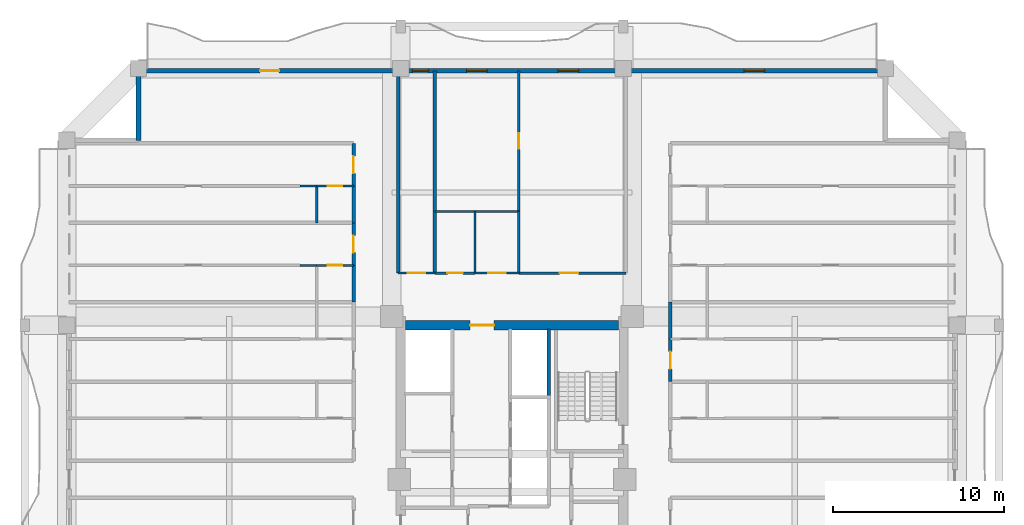
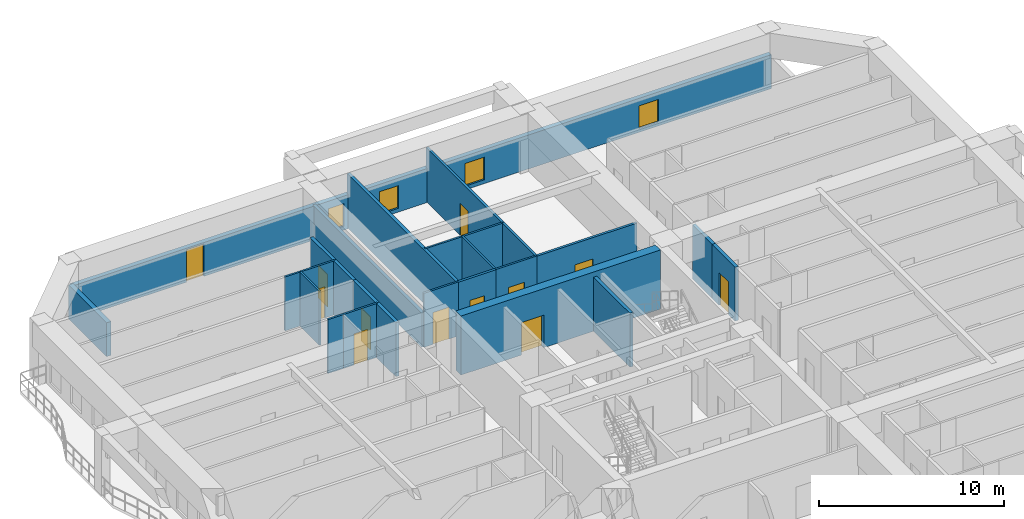
# One storey, part 7 of 13: 25 walls, 12 doors, 4 windows, 16 openings.
"""IFC4 building model written with IfcOpenShell, lengths in metres."""

from ifc_helpers import new_model, si_unit, direction, frame, frame_2d, origin, place, context, subcontext, project, spatial, rectangle, extrude, source, transform, mapped, material, layer, layer_set, type_object, element, fill, save


model = new_model("IFC4")

# Units and contexts
model_context = context("Model", 3, precision=1e-05, world=origin(), true_north=direction((0.0, 1.0)))
body_context = subcontext(model_context, "Body", "Model", "MODEL_VIEW")
ifc_project = project(units=[si_unit("LENGTHUNIT", "METRE"), si_unit("AREAUNIT", "SQUARE_METRE"), si_unit("VOLUMEUNIT", "CUBIC_METRE"), si_unit("PLANEANGLEUNIT", "RADIAN"), si_unit("MASSUNIT", "GRAM", prefix="KILO")], contexts=[model_context])

# Site, building, storey
site_placement = place(None, origin())
site = spatial("IfcSite", under=ifc_project, at=site_placement, CompositionType="ELEMENT")
building_placement = place(site_placement, origin())
building = spatial("IfcBuilding", under=site, at=building_placement, Name="Saelheon Loggia Tower", CompositionType="ELEMENT")
storey_placement = place(building_placement, frame((0.0, 0.0, 122.85009765625)))
storey = spatial("IfcBuildingStorey", under=building, at=storey_placement, Name="L39", CompositionType="ELEMENT", Elevation=122.85009765625)

# Wall, opening, door
ifc_material_1 = material(Name="Concrete C50/60", Category="concrete")
ifc_layer_1 = layer(ifc_material_1, 0.550048828125)
ifc_layer_set_1 = layer_set([ifc_layer_1], Name="Concrete C50/60")
wall_type_1 = type_object("IfcWallType", Name="Wall_CoreShear_550", PredefinedType="SHEAR", material=ifc_layer_set_1)
wall_1_placement = place(storey_placement, frame((31.77490234375, 36.0, 0.0), z_axis=(0.0, 0.0, 1.0), x_axis=(1.0, 0.0, 0.0)))
wall_1 = element("IfcWall", 1, at=wall_1_placement, inside=storey, type_object=wall_type_1, Name="L39 Core Shear Wall North", PredefinedType="SHEAR", context=body_context, shape_type="SweptSolid", body=[
    extrude(rectangle(XDim=12.4501953125, YDim=0.550048828125, at=frame_2d((6.22509765625, 0.0))), origin(), (0.0, 0.0, 1.0), 3.89990234375),
])
opening_1_placement = place(wall_1_placement, frame((5.1748046875, 0.0, 0.0), z_axis=(0.0, 0.0, 1.0), x_axis=(-1.0, 0.0, 0.0)))
opening_1 = element("IfcOpeningElement", 2, at=opening_1_placement, cuts=wall_1, Name="Opening D-FD2L", PredefinedType="OPENING", context=body_context, shape_type="SweptSolid", body=[
    extrude(rectangle(XDim=1.39990234375, YDim=2.14990234375, at=frame_2d((0.699951171875, 1.074951171875))), frame((0.0, 0.287109375, 0.0), z_axis=(0.0, -1.0, 0.0), x_axis=(1.0, 0.0, 0.0)), (0.0, 0.0, 1.0), 0.573974609375),
])
ifc_material_2 = material(Name="Galvanised Steel Glazed Lobby Fire Door", Category="steel")
door_type_1 = type_object("IfcDoorType", Name="Door_Fire_FD60_1400", OperationType="NOTDEFINED", PredefinedType="DOOR", material=ifc_material_2)
shared_shape_1 = source(origin(), body_context, "Body", "SweptSolid", [
    extrude(rectangle(XDim=1.39990234375, YDim=2.14990234375, at=frame_2d((0.699951171875, 1.074951171875))), frame((0.0, 0.02490234375, 0.0), z_axis=(0.0, -1.0, 0.0), x_axis=(1.0, 0.0, 0.0)), (0.0, 0.0, 1.0), 0.050048828125),
])
door_1_placement = place(opening_1_placement, origin())
door_1 = element("IfcDoor", 3, at=door_1_placement, inside=storey, type_object=door_type_1, Name="L39 Passenger Lift Lobby Main Door", OperationType="SINGLE_SWING_RIGHT", OverallHeight=2.14990234375, OverallWidth=1.39990234375, PredefinedType="DOOR", context=body_context, shape_type="MappedRepresentation", body=[
    mapped(shared_shape_1, transform((0.0, 0.0, 0.0), scale=1.0)),
])
fill(opening_1, door_1)

# Wall, openings, windows, door
ifc_material_3 = material(Name="Architectural Precast Concrete C40/50", Category="concrete")
ifc_layer_2 = layer(ifc_material_3, 0.280029296875)
ifc_layer_set_2 = layer_set([ifc_layer_2], Name="Architectural Precast Concrete C40/50")
wall_type_2 = type_object("IfcWallType", Name="Wall_Ext_Loggia_280", PredefinedType="SOLIDWALL", material=ifc_layer_set_2)
wall_2_placement = place(storey_placement, frame((16.199951171875, 50.860107421875, 0.0), z_axis=(0.0, 0.0, 1.0), x_axis=(1.0, 0.0, 0.0)))
wall_2 = element("IfcWall", 4, at=wall_2_placement, inside=storey, type_object=wall_type_2, Name="L39 North Loggia Inner Wall", PredefinedType="SOLIDWALL", context=body_context, shape_type="SweptSolid", body=[
    extrude(rectangle(XDim=43.60009765625, YDim=0.280029296875, at=frame_2d((21.800048828125, 0.0))), origin(), (0.0, 0.0, 1.0), 2.239990234375),
])
opening_2_placement = place(wall_2_placement, frame((7.10009765625, 0.0, 0.0)))
opening_2 = element("IfcOpeningElement", 5, at=opening_2_placement, cuts=wall_2, Name="Opening TD1", PredefinedType="OPENING", context=body_context, shape_type="SweptSolid", body=[
    extrude(rectangle(XDim=1.10009765625, YDim=2.14990234375, at=frame_2d((0.550048828125, 1.074951171875))), frame((0.0, 0.152099609375, 0.0), z_axis=(0.0, -1.0, 0.0), x_axis=(1.0, 0.0, 0.0)), (0.0, 0.0, 1.0), 0.303955078125),
])
opening_3_placement = place(wall_2_placement, frame((15.982421875, 0.0, 0.25)))
opening_3 = element("IfcOpeningElement", 6, at=opening_3_placement, cuts=wall_2, Name="Opening WN-04", PredefinedType="OPENING", context=body_context, shape_type="SweptSolid", body=[
    extrude(rectangle(XDim=0.949951171875, YDim=1.5, at=frame_2d((0.47509765625, 0.75))), frame((0.0, 0.152099609375, 0.0), z_axis=(0.0, -1.0, 0.0), x_axis=(1.0, 0.0, 0.0)), (0.0, 0.0, 1.0), 0.303955078125),
])
opening_4_placement = place(wall_2_placement, frame((19.14990234375, 0.0, 0.25)))
opening_4 = element("IfcOpeningElement", 7, at=opening_4_placement, cuts=wall_2, Name="Opening WN-03", PredefinedType="OPENING", context=body_context, shape_type="SweptSolid", body=[
    extrude(rectangle(XDim=1.199951171875, YDim=1.5, at=frame_2d((0.60009765625, 0.75))), frame((0.0, 0.152099609375, 0.0), z_axis=(0.0, -1.0, 0.0), x_axis=(1.0, 0.0, 0.0)), (0.0, 0.0, 1.0), 0.303955078125),
])
opening_5_placement = place(wall_2_placement, frame((24.492431640625, 0.0, 0.25)))
opening_5 = element("IfcOpeningElement", 8, at=opening_5_placement, cuts=wall_2, Name="Opening WN-03", PredefinedType="OPENING", context=body_context, shape_type="SweptSolid", body=[
    extrude(rectangle(XDim=1.199951171875, YDim=1.5, at=frame_2d((0.60009765625, 0.75))), frame((0.0, 0.152099609375, 0.0), z_axis=(0.0, -1.0, 0.0), x_axis=(1.0, 0.0, 0.0)), (0.0, 0.0, 1.0), 0.303955078125),
])
opening_6_placement = place(wall_2_placement, frame((35.35009765625, 0.0, 0.25)))
opening_6 = element("IfcOpeningElement", 9, at=opening_6_placement, cuts=wall_2, Name="Opening WN-03", PredefinedType="OPENING", context=body_context, shape_type="SweptSolid", body=[
    extrude(rectangle(XDim=1.199951171875, YDim=1.5, at=frame_2d((0.60009765625, 0.75))), frame((0.0, 0.152099609375, 0.0), z_axis=(0.0, -1.0, 0.0), x_axis=(1.0, 0.0, 0.0)), (0.0, 0.0, 1.0), 0.303955078125),
])
ifc_material_4 = material(Name="Thermal-Break Aluminium and Triple Low-E Glass", Category="aluminium")
window_type_1 = type_object("IfcWindowType", Name="Win_Bedroom_1200x1500", PartitioningType="SINGLE_PANEL", PredefinedType="WINDOW", material=ifc_material_4)
shared_shape_2 = source(origin(), body_context, "Body", "SweptSolid", [
    extrude(rectangle(XDim=1.199951171875, YDim=1.5, at=frame_2d((0.60009765625, 0.75))), frame((0.0, 0.030029296875, 0.0), z_axis=(0.0, -1.0, 0.0), x_axis=(1.0, 0.0, 0.0)), (0.0, 0.0, 1.0), 0.06005859375),
])
window_1_placement = place(opening_4_placement, origin())
window_1 = element("IfcWindow", 10, at=window_1_placement, inside=storey, type_object=window_type_1, Name="L39 N Dwelling Window 3", OverallHeight=1.5, OverallWidth=1.199951171875, PartitioningType="SINGLE_PANEL", PredefinedType="WINDOW", context=body_context, shape_type="MappedRepresentation", body=[
    mapped(shared_shape_2, transform((0.0, 0.0, 0.0), scale=1.0)),
])
fill(opening_4, window_1)
window_2_placement = place(opening_5_placement, origin())
window_2 = element("IfcWindow", 11, at=window_2_placement, inside=storey, type_object=window_type_1, Name="L39 N Dwelling Window 4", OverallHeight=1.5, OverallWidth=1.199951171875, PartitioningType="SINGLE_PANEL", PredefinedType="WINDOW", context=body_context, shape_type="MappedRepresentation", body=[
    mapped(shared_shape_2, transform((0.0, 0.0, 0.0), scale=1.0)),
])
fill(opening_5, window_2)
window_3_placement = place(opening_6_placement, origin())
window_3 = element("IfcWindow", 12, at=window_3_placement, inside=storey, type_object=window_type_1, Name="L39 N Dwelling Window 5", OverallHeight=1.5, OverallWidth=1.199951171875, PartitioningType="SINGLE_PANEL", PredefinedType="WINDOW", context=body_context, shape_type="MappedRepresentation", body=[
    mapped(shared_shape_2, transform((0.0, 0.0, 0.0), scale=1.0)),
])
fill(opening_6, window_3)
ifc_material_5 = material(Name="Thermal-Break Aluminium Glazed Door", Category="aluminium")
door_type_2 = type_object("IfcDoorType", Name="Door_Terrace_TD1", OperationType="NOTDEFINED", PredefinedType="DOOR", material=ifc_material_5)
shared_shape_3 = source(origin(), body_context, "Body", "SweptSolid", [
    extrude(rectangle(XDim=1.10009765625, YDim=2.14990234375, at=frame_2d((0.550048828125, 1.074951171875))), frame((0.0, 0.02490234375, 0.0), z_axis=(0.0, -1.0, 0.0), x_axis=(1.0, 0.0, 0.0)), (0.0, 0.0, 1.0), 0.050048828125),
])
door_2_placement = place(opening_2_placement, origin())
door_2 = element("IfcDoor", 13, at=door_2_placement, inside=storey, type_object=door_type_2, Name="L39 N Loggia Access Door", OperationType="SINGLE_SWING_LEFT", OverallHeight=2.14990234375, OverallWidth=1.10009765625, PredefinedType="DOOR", context=body_context, shape_type="MappedRepresentation", body=[
    mapped(shared_shape_3, transform((0.0, 0.0, 0.0), scale=1.0)),
])
fill(opening_2, door_2)
window_type_2 = type_object("IfcWindowType", Name="Win_Narrow_950x1500", PartitioningType="SINGLE_PANEL", PredefinedType="WINDOW", material=ifc_material_4)
shared_shape_4 = source(origin(), body_context, "Body", "SweptSolid", [
    extrude(rectangle(XDim=0.949951171875, YDim=1.5, at=frame_2d((0.47509765625, 0.75))), frame((0.0, 0.030029296875, 0.0), z_axis=(0.0, -1.0, 0.0), x_axis=(1.0, 0.0, 0.0)), (0.0, 0.0, 1.0), 0.06005859375),
])
window_4_placement = place(opening_3_placement, origin())
window_4 = element("IfcWindow", 14, at=window_4_placement, inside=storey, type_object=window_type_2, Name="L39 N Dwelling Window 2", OverallHeight=1.5, OverallWidth=0.949951171875, PartitioningType="SINGLE_PANEL", PredefinedType="WINDOW", context=body_context, shape_type="MappedRepresentation", body=[
    mapped(shared_shape_4, transform((0.0, 0.0, 0.0), scale=1.0)),
])
fill(opening_3, window_4)

# Walls
wall_3_placement = place(storey_placement, frame((16.199951171875, 46.800048828125, 0.0), z_axis=(0.0, 0.0, 1.0), x_axis=(0.0, 1.0, 0.0)))
element("IfcWall", 15, at=wall_3_placement, inside=storey, type_object=wall_type_2, Name="L39 Corner Notch Precast Wall NW1", PredefinedType="SOLIDWALL", context=body_context, shape_type="SweptSolid", body=[
    extrude(rectangle(XDim=4.119873046875, YDim=0.280029296875, at=frame_2d((2.06005859375, 0.0))), origin(), (0.0, 0.0, 1.0), 2.239990234375),
])
ifc_material_6 = material(Name="Lightweight Autoclaved Aerated Concrete Block and Acoustic Gypsum", Category="concrete")
ifc_layer_3 = layer(ifc_material_6, 0.14990234375)
ifc_layer_set_3 = layer_set([ifc_layer_3], Name="Lightweight Autoclaved Aerated Concrete Block and Acoustic Gypsum")
wall_type_3 = type_object("IfcWallType", Name="Wall_Part_150", PredefinedType="PARTITIONING", material=ifc_layer_set_3)
wall_4_placement = place(storey_placement, frame((38.39990234375, 39.050048828125, 0.0), z_axis=(0.0, 0.0, 1.0), x_axis=(0.0, 1.0, 0.0)))
element("IfcWall", 16, at=wall_4_placement, inside=storey, type_object=wall_type_3, Name="L39 N Partition U06", PredefinedType="PARTITIONING", context=body_context, shape_type="SweptSolid", body=[
    extrude(rectangle(XDim=3.599853515625, YDim=0.14990234375, at=frame_2d((1.7998046875, 0.0))), origin(), (0.0, 0.0, 1.0), 3.559814453125),
])

# Wall, opening, door
wall_5_placement = place(storey_placement, frame((38.39990234375, 42.64990234375, 0.0), z_axis=(0.0, 0.0, 1.0), x_axis=(0.0, 1.0, 0.0)))
wall_5 = element("IfcWall", 17, at=wall_5_placement, inside=storey, type_object=wall_type_3, Name="L39 N Partition U07", PredefinedType="PARTITIONING", context=body_context, shape_type="SweptSolid", body=[
    extrude(rectangle(XDim=8.2001953125, YDim=0.14990234375, at=frame_2d((4.10009765625, 0.0))), origin(), (0.0, 0.0, 1.0), 3.559814453125),
])
opening_7_placement = place(wall_5_placement, frame((3.64990234375, 0.0, 0.0)))
opening_7 = element("IfcOpeningElement", 18, at=opening_7_placement, cuts=wall_5, Name="Opening D-IN2", PredefinedType="OPENING", context=body_context, shape_type="SweptSolid", body=[
    extrude(rectangle(XDim=0.89990234375, YDim=2.10009765625, at=frame_2d((0.449951171875, 1.050048828125))), frame((0.0, 0.0869140625, 0.0), z_axis=(0.0, -1.0, 0.0), x_axis=(1.0, 0.0, 0.0)), (0.0, 0.0, 1.0), 0.173828125),
])
ifc_material_7 = material(Name="Engineered Oak Flush Door", Category="timber")
door_type_3 = type_object("IfcDoorType", Name="Door_Int_900", OperationType="NOTDEFINED", PredefinedType="DOOR", material=ifc_material_7)
shared_shape_5 = source(origin(), body_context, "Body", "SweptSolid", [
    extrude(rectangle(XDim=0.89990234375, YDim=2.10009765625, at=frame_2d((0.449951171875, 1.050048828125))), frame((0.0, 0.02490234375, 0.0), z_axis=(0.0, -1.0, 0.0), x_axis=(1.0, 0.0, 0.0)), (0.0, 0.0, 1.0), 0.050048828125),
])
door_3_placement = place(opening_7_placement, origin())
door_3 = element("IfcDoor", 19, at=door_3_placement, inside=storey, type_object=door_type_3, Name="L39 Reading Alcove Door", OperationType="SINGLE_SWING_RIGHT", OverallHeight=2.10009765625, OverallWidth=0.89990234375, PredefinedType="DOOR", context=body_context, shape_type="MappedRepresentation", body=[
    mapped(shared_shape_5, transform((0.0, 0.0, 0.0), scale=1.0)),
])
fill(opening_7, door_3)

wall_6_placement = place(storey_placement, frame((33.5, 39.050048828125, 0.0), z_axis=(0.0, 0.0, 1.0), x_axis=(1.0, 0.0, 0.0)))
wall_6 = element("IfcWall", 20, at=wall_6_placement, inside=storey, type_object=wall_type_3, Name="L39 N Partition V09", PredefinedType="PARTITIONING", context=body_context, shape_type="SweptSolid", body=[
    extrude(rectangle(XDim=2.35009765625, YDim=0.14990234375, at=frame_2d((1.175048828125, 0.0))), origin(), (0.0, 0.0, 1.0), 3.559814453125),
])
opening_8_placement = place(wall_6_placement, frame((0.72509765625, 0.0, 0.0)))
opening_8 = element("IfcOpeningElement", 21, at=opening_8_placement, cuts=wall_6, Name="Opening D-IN2", PredefinedType="OPENING", context=body_context, shape_type="SweptSolid", body=[
    extrude(rectangle(XDim=0.89990234375, YDim=2.10009765625, at=frame_2d((0.449951171875, 1.050048828125))), frame((0.0, 0.0869140625, 0.0), z_axis=(0.0, -1.0, 0.0), x_axis=(1.0, 0.0, 0.0)), (0.0, 0.0, 1.0), 0.173828125),
])
door_4_placement = place(opening_8_placement, origin())
door_4 = element("IfcDoor", 22, at=door_4_placement, inside=storey, type_object=door_type_3, Name="L39 Community Pantry Door", OperationType="SINGLE_SWING_LEFT", OverallHeight=2.10009765625, OverallWidth=0.89990234375, PredefinedType="DOOR", context=body_context, shape_type="MappedRepresentation", body=[
    mapped(shared_shape_5, transform((0.0, 0.0, 0.0), scale=1.0)),
])
fill(opening_8, door_4)

wall_7_placement = place(storey_placement, frame((38.39990234375, 39.050048828125, 0.0), z_axis=(0.0, 0.0, 1.0), x_axis=(1.0, 0.0, 0.0)))
wall_7 = element("IfcWall", 23, at=wall_7_placement, inside=storey, type_object=wall_type_3, Name="L39 N Partition V11", PredefinedType="PARTITIONING", context=body_context, shape_type="SweptSolid", body=[
    extrude(rectangle(XDim=6.25, YDim=0.14990234375, at=frame_2d((3.125, 0.0))), origin(), (0.0, 0.0, 1.0), 3.559814453125),
])
opening_9_placement = place(wall_7_placement, frame((2.382080078125, 0.0, 0.0)))
opening_9 = element("IfcOpeningElement", 24, at=opening_9_placement, cuts=wall_7, Name="Opening D-FD2", PredefinedType="OPENING", context=body_context, shape_type="SweptSolid", body=[
    extrude(rectangle(XDim=1.10009765625, YDim=2.14990234375, at=frame_2d((0.550048828125, 1.074951171875))), frame((0.0, 0.0869140625, 0.0), z_axis=(0.0, -1.0, 0.0), x_axis=(1.0, 0.0, 0.0)), (0.0, 0.0, 1.0), 0.173828125),
])
ifc_material_8 = material(Name="Galvanised Steel Fire Door", Category="steel")
door_type_4 = type_object("IfcDoorType", Name="Door_Fire_FD60_1100", OperationType="NOTDEFINED", PredefinedType="DOOR", material=ifc_material_8)
door_5_placement = place(opening_9_placement, origin())
door_5 = element("IfcDoor", 25, at=door_5_placement, inside=storey, type_object=door_type_4, Name="L39 Community Reading Library Door A", OperationType="SINGLE_SWING_LEFT", OverallHeight=2.14990234375, OverallWidth=1.10009765625, PredefinedType="DOOR", context=body_context, shape_type="MappedRepresentation", body=[
    mapped(shared_shape_3, transform((0.0, 0.0, 0.0), scale=1.0)),
])
fill(opening_9, door_5)

# Walls
ifc_material_9 = material(Name="Double Acoustic Stud and Fireboard Partition", Category="gypsum")
ifc_layer_4 = layer(ifc_material_9, 0.199951171875)
ifc_layer_set_4 = layer_set([ifc_layer_4], Name="Double Acoustic Stud and Fireboard Partition")
wall_type_4 = type_object("IfcWallType", Name="Wall_Party_200", PredefinedType="PARTITIONING", material=ifc_layer_set_4)
wall_8_placement = place(storey_placement, frame((31.35009765625, 39.050048828125, 0.0), z_axis=(0.0, 0.0, 1.0), x_axis=(0.0, 1.0, 0.0)))
element("IfcWall", 26, at=wall_8_placement, inside=storey, type_object=wall_type_4, Name="L39 N Partition U01", PredefinedType="PARTITIONING", context=body_context, shape_type="SweptSolid", body=[
    extrude(rectangle(XDim=11.800048828125, YDim=0.199951171875, at=frame_2d((5.89990234375, 0.0))), origin(), (0.0, 0.0, 1.0), 2.239990234375),
])
wall_9_placement = place(storey_placement, frame((33.5, 39.050048828125, 0.0), z_axis=(0.0, 0.0, 1.0), x_axis=(0.0, 1.0, 0.0)))
element("IfcWall", 27, at=wall_9_placement, inside=storey, type_object=wall_type_4, Name="L39 N Partition U03", PredefinedType="PARTITIONING", context=body_context, shape_type="SweptSolid", body=[
    extrude(rectangle(XDim=11.800048828125, YDim=0.199951171875, at=frame_2d((5.89990234375, 0.0))), origin(), (0.0, 0.0, 1.0), 3.559814453125),
])
wall_10_placement = place(storey_placement, frame((28.75, 37.35009765625, 0.0), z_axis=(0.0, 0.0, 1.0), x_axis=(0.0, 1.0, 0.0)))
element("IfcWall", 28, at=wall_10_placement, inside=storey, type_object=wall_type_4, Name="L39 WN Partition V17", PredefinedType="PARTITIONING", context=body_context, shape_type="SweptSolid", body=[
    extrude(rectangle(XDim=2.14990234375, YDim=0.199951171875, at=frame_2d((1.074951171875, 0.0))), origin(), (0.0, 0.0, 1.0), 3.559814453125),
])

# Wall, opening, door
wall_11_placement = place(storey_placement, frame((28.75, 39.5, 0.0), z_axis=(0.0, 0.0, 1.0), x_axis=(0.0, 1.0, 0.0)))
wall_11 = element("IfcWall", 29, at=wall_11_placement, inside=storey, type_object=wall_type_4, Name="L39 WN Partition V18", PredefinedType="PARTITIONING", context=body_context, shape_type="SweptSolid", body=[
    extrude(rectangle(XDim=2.485107421875, YDim=0.199951171875, at=frame_2d((1.24267578125, 0.0))), origin(), (0.0, 0.0, 1.0), 3.559814453125),
])
opening_10_placement = place(wall_11_placement, frame((0.742431640625, 0.0, 0.0)))
opening_10 = element("IfcOpeningElement", 30, at=opening_10_placement, cuts=wall_11, Name="Opening D-FD1", PredefinedType="OPENING", context=body_context, shape_type="SweptSolid", body=[
    extrude(rectangle(XDim=1.0, YDim=2.14990234375, at=frame_2d((0.5, 1.074951171875))), frame((0.0, 0.112060546875, 0.0), z_axis=(0.0, -1.0, 0.0), x_axis=(1.0, 0.0, 0.0)), (0.0, 0.0, 1.0), 0.223876953125),
])
ifc_material_10 = material(Name="Fire-Rated Engineered Timber Entrance Door", Category="wood")
door_type_5 = type_object("IfcDoorType", Name="Door_Flat_FD30S", OperationType="NOTDEFINED", PredefinedType="DOOR", material=ifc_material_10)
shared_shape_6 = source(origin(), body_context, "Body", "SweptSolid", [
    extrude(rectangle(XDim=1.0, YDim=2.14990234375, at=frame_2d((0.5, 1.074951171875))), frame((0.0, 0.02490234375, 0.0), z_axis=(0.0, -1.0, 0.0), x_axis=(1.0, 0.0, 0.0)), (0.0, 0.0, 1.0), 0.050048828125),
])
door_6_placement = place(opening_10_placement, origin())
door_6 = element("IfcDoor", 31, at=door_6_placement, inside=storey, type_object=door_type_5, Name="Unit U07 Entrance Door", OperationType="SINGLE_SWING_RIGHT", OverallHeight=2.14990234375, OverallWidth=1.0, PredefinedType="DOOR", context=body_context, shape_type="MappedRepresentation", body=[
    mapped(shared_shape_6, transform((0.0, 0.0, 0.0), scale=1.0)),
])
fill(opening_10, door_6)

# Wall
wall_12_placement = place(storey_placement, frame((28.75, 41.985107421875, 0.0), z_axis=(0.0, 0.0, 1.0), x_axis=(0.0, 1.0, 0.0)))
element("IfcWall", 32, at=wall_12_placement, inside=storey, type_object=wall_type_4, Name="L39 WN Partition V24", PredefinedType="PARTITIONING", context=body_context, shape_type="SweptSolid", body=[
    extrude(rectangle(XDim=2.14990234375, YDim=0.199951171875, at=frame_2d((1.074951171875, 0.0))), origin(), (0.0, 0.0, 1.0), 3.559814453125),
])

# Wall, opening, door
wall_13_placement = place(storey_placement, frame((28.75, 44.135009765625, 0.0), z_axis=(0.0, 0.0, 1.0), x_axis=(0.0, 1.0, 0.0)))
wall_13 = element("IfcWall", 33, at=wall_13_placement, inside=storey, type_object=wall_type_4, Name="L39 WN Partition V25", PredefinedType="PARTITIONING", context=body_context, shape_type="SweptSolid", body=[
    extrude(rectangle(XDim=2.485107421875, YDim=0.199951171875, at=frame_2d((1.24267578125, 0.0))), origin(), (0.0, 0.0, 1.0), 3.559814453125),
])
opening_11_placement = place(wall_13_placement, frame((0.742431640625, 0.0, 0.0)))
opening_11 = element("IfcOpeningElement", 34, at=opening_11_placement, cuts=wall_13, Name="Opening D-FD1", PredefinedType="OPENING", context=body_context, shape_type="SweptSolid", body=[
    extrude(rectangle(XDim=1.0, YDim=2.14990234375, at=frame_2d((0.5, 1.074951171875))), frame((0.0, 0.112060546875, 0.0), z_axis=(0.0, -1.0, 0.0), x_axis=(1.0, 0.0, 0.0)), (0.0, 0.0, 1.0), 0.223876953125),
])
door_7_placement = place(opening_11_placement, origin())
door_7 = element("IfcDoor", 35, at=door_7_placement, inside=storey, type_object=door_type_5, Name="Unit U08 Entrance Door", OperationType="SINGLE_SWING_LEFT", OverallHeight=2.14990234375, OverallWidth=1.0, PredefinedType="DOOR", context=body_context, shape_type="MappedRepresentation", body=[
    mapped(shared_shape_6, transform((0.0, 0.0, 0.0), scale=1.0)),
])
fill(opening_11, door_7)

wall_14_placement = place(storey_placement, frame((47.25, 32.715087890625, 0.0), z_axis=(0.0, 0.0, 1.0), x_axis=(0.0, 1.0, 0.0)))
wall_14 = element("IfcWall", 36, at=wall_14_placement, inside=storey, type_object=wall_type_4, Name="L39 EN Partition V10", PredefinedType="PARTITIONING", context=body_context, shape_type="SweptSolid", body=[
    extrude(rectangle(XDim=2.48486328125, YDim=0.199951171875, at=frame_2d((1.242431640625, 0.0))), origin(), (0.0, 0.0, 1.0), 3.559814453125),
])
opening_12_placement = place(wall_14_placement, frame((0.742431640625, 0.0, 0.0)))
opening_12 = element("IfcOpeningElement", 37, at=opening_12_placement, cuts=wall_14, Name="Opening D-FD1", PredefinedType="OPENING", context=body_context, shape_type="SweptSolid", body=[
    extrude(rectangle(XDim=1.0, YDim=2.14990234375, at=frame_2d((0.5, 1.074951171875))), frame((0.0, 0.112060546875, 0.0), z_axis=(0.0, -1.0, 0.0), x_axis=(1.0, 0.0, 0.0)), (0.0, 0.0, 1.0), 0.223876953125),
])
door_8_placement = place(opening_12_placement, origin())
door_8 = element("IfcDoor", 38, at=door_8_placement, inside=storey, type_object=door_type_5, Name="Unit U14 Entrance Door", OperationType="SINGLE_SWING_LEFT", OverallHeight=2.14990234375, OverallWidth=1.0, PredefinedType="DOOR", context=body_context, shape_type="MappedRepresentation", body=[
    mapped(shared_shape_6, transform((0.0, 0.0, 0.0), scale=1.0)),
])
fill(opening_12, door_8)

# Walls
wall_15_placement = place(storey_placement, frame((47.25, 35.199951171875, 0.0), z_axis=(0.0, 0.0, 1.0), x_axis=(0.0, 1.0, 0.0)))
element("IfcWall", 39, at=wall_15_placement, inside=storey, type_object=wall_type_4, Name="L39 EN Partition V11", PredefinedType="PARTITIONING", context=body_context, shape_type="SweptSolid", body=[
    extrude(rectangle(XDim=2.150146484375, YDim=0.199951171875, at=frame_2d((1.0751953125, 0.0))), origin(), (0.0, 0.0, 1.0), 3.559814453125),
])
ifc_material_11 = material(Name="Concrete C40/50", Category="concrete")
ifc_layer_5 = layer(ifc_material_11, 0.199951171875)
ifc_layer_set_5 = layer_set([ifc_layer_5], Name="Concrete C40/50")
wall_type_5 = type_object("IfcWallType", Name="Wall_Shaft_200", PredefinedType="PARTITIONING", material=ifc_layer_set_5)
wall_16_placement = place(storey_placement, frame((40.14990234375, 31.800048828125, 0.0), z_axis=(0.0, 0.0, 1.0), x_axis=(0.0, 1.0, 0.0)))
element("IfcWall", 40, at=wall_16_placement, inside=storey, type_object=wall_type_5, Name="L39 East High-Rise Hoistway East Wall", PredefinedType="PARTITIONING", context=body_context, shape_type="SweptSolid", body=[
    extrude(rectangle(XDim=3.97998046875, YDim=0.199951171875, at=frame_2d((1.989990234375, 0.0))), origin(), (0.0, 0.0, 1.0), 3.559814453125),
])

# Wall, opening, door
ifc_material_12 = material(Name="Moisture-Resistant Cement Board Partition", Category="gypsum")
ifc_layer_6 = layer(ifc_material_12, 0.1201171875)
ifc_layer_set_6 = layer_set([ifc_layer_6], Name="Moisture-Resistant Cement Board Partition")
wall_type_6 = type_object("IfcWallType", Name="Wall_WetPart_120", PredefinedType="PARTITIONING", material=ifc_layer_set_6)
wall_17_placement = place(storey_placement, frame((31.35009765625, 39.050048828125, 0.0), z_axis=(0.0, 0.0, 1.0), x_axis=(1.0, 0.0, 0.0)))
wall_17 = element("IfcWall", 41, at=wall_17_placement, inside=storey, type_object=wall_type_6, Name="L39 N Partition V04", PredefinedType="PARTITIONING", context=body_context, shape_type="SweptSolid", body=[
    extrude(rectangle(XDim=2.14990234375, YDim=0.1201171875, at=frame_2d((1.074951171875, 0.0))), origin(), (0.0, 0.0, 1.0), 3.559814453125),
])
opening_13_placement = place(wall_17_placement, frame((0.574951171875, 0.0, 0.0)))
opening_13 = element("IfcOpeningElement", 42, at=opening_13_placement, cuts=wall_17, Name="Opening D-AC1", PredefinedType="OPENING", context=body_context, shape_type="SweptSolid", body=[
    extrude(rectangle(XDim=1.0, YDim=2.10009765625, at=frame_2d((0.5, 1.050048828125))), frame((0.0, 0.072021484375, 0.0), z_axis=(0.0, -1.0, 0.0), x_axis=(1.0, 0.0, 0.0)), (0.0, 0.0, 1.0), 0.14404296875),
])
ifc_material_13 = material(Name="Accessible Laminate Flush Door", Category="timber")
door_type_6 = type_object("IfcDoorType", Name="Door_Acc_1000", OperationType="NOTDEFINED", PredefinedType="DOOR", material=ifc_material_13)
shared_shape_7 = source(origin(), body_context, "Body", "SweptSolid", [
    extrude(rectangle(XDim=1.0, YDim=2.10009765625, at=frame_2d((0.5, 1.050048828125))), frame((0.0, 0.02490234375, 0.0), z_axis=(0.0, -1.0, 0.0), x_axis=(1.0, 0.0, 0.0)), (0.0, 0.0, 1.0), 0.050048828125),
])
door_9_placement = place(opening_13_placement, origin())
door_9 = element("IfcDoor", 43, at=door_9_placement, inside=storey, type_object=door_type_6, Name="L39 Floor Accessible WC Door", OperationType="SINGLE_SWING_LEFT", OverallHeight=2.10009765625, OverallWidth=1.0, PredefinedType="DOOR", context=body_context, shape_type="MappedRepresentation", body=[
    mapped(shared_shape_7, transform((0.0, 0.0, 0.0), scale=1.0)),
])
fill(opening_13, door_9)

# Walls
wall_18_placement = place(storey_placement, frame((35.85009765625, 39.050048828125, 0.0), z_axis=(0.0, 0.0, 1.0), x_axis=(0.0, 1.0, 0.0)))
element("IfcWall", 44, at=wall_18_placement, inside=storey, type_object=wall_type_6, Name="L39 N Partition U05", PredefinedType="PARTITIONING", context=body_context, shape_type="SweptSolid", body=[
    extrude(rectangle(XDim=3.599853515625, YDim=0.1201171875, at=frame_2d((1.7998046875, 0.0))), origin(), (0.0, 0.0, 1.0), 3.559814453125),
])
wall_19_placement = place(storey_placement, frame((33.5, 42.64990234375, 0.0), z_axis=(0.0, 0.0, 1.0), x_axis=(1.0, 0.0, 0.0)))
element("IfcWall", 45, at=wall_19_placement, inside=storey, type_object=wall_type_6, Name="L39 N Partition V08", PredefinedType="PARTITIONING", context=body_context, shape_type="SweptSolid", body=[
    extrude(rectangle(XDim=4.89990234375, YDim=0.1201171875, at=frame_2d((2.449951171875, 0.0))), origin(), (0.0, 0.0, 1.0), 3.559814453125),
])

# Wall, opening, door
wall_20_placement = place(storey_placement, frame((35.85009765625, 39.050048828125, 0.0), z_axis=(0.0, 0.0, 1.0), x_axis=(1.0, 0.0, 0.0)))
wall_20 = element("IfcWall", 46, at=wall_20_placement, inside=storey, type_object=wall_type_6, Name="L39 N Partition V10", PredefinedType="PARTITIONING", context=body_context, shape_type="SweptSolid", body=[
    extrude(rectangle(XDim=2.5498046875, YDim=0.1201171875, at=frame_2d((1.27490234375, 0.0))), origin(), (0.0, 0.0, 1.0), 3.559814453125),
])
opening_14_placement = place(wall_20_placement, frame((0.77490234375, 0.0, 0.0)))
opening_14 = element("IfcOpeningElement", 47, at=opening_14_placement, cuts=wall_20, Name="Opening D-AC1", PredefinedType="OPENING", context=body_context, shape_type="SweptSolid", body=[
    extrude(rectangle(XDim=1.0, YDim=2.10009765625, at=frame_2d((0.5, 1.050048828125))), frame((0.0, 0.072021484375, 0.0), z_axis=(0.0, -1.0, 0.0), x_axis=(1.0, 0.0, 0.0)), (0.0, 0.0, 1.0), 0.14404296875),
])
door_10_placement = place(opening_14_placement, origin())
door_10 = element("IfcDoor", 48, at=door_10_placement, inside=storey, type_object=door_type_6, Name="L39 Common Washroom Door", OperationType="SINGLE_SWING_RIGHT", OverallHeight=2.10009765625, OverallWidth=1.0, PredefinedType="DOOR", context=body_context, shape_type="MappedRepresentation", body=[
    mapped(shared_shape_7, transform((0.0, 0.0, 0.0), scale=1.0)),
])
fill(opening_14, door_10)

wall_21_placement = place(storey_placement, frame((28.75, 39.5, 0.0), z_axis=(0.0, 0.0, 1.0), x_axis=(-1.0, 0.0, 0.0)))
wall_21 = element("IfcWall", 49, at=wall_21_placement, inside=storey, type_object=wall_type_6, Name="L39 WN Partition U19", PredefinedType="PARTITIONING", context=body_context, shape_type="SweptSolid", body=[
    extrude(rectangle(XDim=2.14990234375, YDim=0.1201171875, at=frame_2d((1.074951171875, 0.0))), origin(), (0.0, 0.0, 1.0), 3.559814453125),
])
opening_15_placement = place(wall_21_placement, frame((0.64990234375, 0.0, 0.0)))
opening_15 = element("IfcOpeningElement", 50, at=opening_15_placement, cuts=wall_21, Name="Opening D-BT1", PredefinedType="OPENING", context=body_context, shape_type="SweptSolid", body=[
    extrude(rectangle(XDim=0.85009765625, YDim=2.050048828125, at=frame_2d((0.425048828125, 1.02490234375))), frame((0.0, 0.072021484375, 0.0), z_axis=(0.0, -1.0, 0.0), x_axis=(1.0, 0.0, 0.0)), (0.0, 0.0, 1.0), 0.14404296875),
])
ifc_material_14 = material(Name="Moisture-Resistant Laminate Timber Door", Category="wood")
door_type_7 = type_object("IfcDoorType", Name="Door_Bath_850", OperationType="NOTDEFINED", PredefinedType="DOOR", material=ifc_material_14)
shared_shape_8 = source(origin(), body_context, "Body", "SweptSolid", [
    extrude(rectangle(XDim=0.85009765625, YDim=2.050048828125, at=frame_2d((0.425048828125, 1.02490234375))), frame((0.0, 0.02490234375, 0.0), z_axis=(0.0, -1.0, 0.0), x_axis=(1.0, 0.0, 0.0)), (0.0, 0.0, 1.0), 0.050048828125),
])
door_11_placement = place(opening_15_placement, origin())
door_11 = element("IfcDoor", 51, at=door_11_placement, inside=storey, type_object=door_type_7, Name="Unit U07 Bathroom Door", OperationType="SINGLE_SWING_LEFT", OverallHeight=2.050048828125, OverallWidth=0.85009765625, PredefinedType="DOOR", context=body_context, shape_type="MappedRepresentation", body=[
    mapped(shared_shape_8, transform((0.0, 0.0, 0.0), scale=1.0)),
])
fill(opening_15, door_11)

# Wall
wall_22_placement = place(storey_placement, frame((26.60009765625, 39.5, 0.0), z_axis=(0.0, 0.0, 1.0), x_axis=(-1.0, 0.0, 0.0)))
element("IfcWall", 52, at=wall_22_placement, inside=storey, type_object=wall_type_6, Name="L39 WN Partition U20", PredefinedType="PARTITIONING", context=body_context, shape_type="SweptSolid", body=[
    extrude(rectangle(XDim=0.97021484375, YDim=0.1201171875, at=frame_2d((0.485107421875, 0.0))), origin(), (0.0, 0.0, 1.0), 3.559814453125),
])

# Wall, opening, door
wall_23_placement = place(storey_placement, frame((28.75, 44.135009765625, 0.0), z_axis=(0.0, 0.0, 1.0), x_axis=(-1.0, 0.0, 0.0)))
wall_23 = element("IfcWall", 53, at=wall_23_placement, inside=storey, type_object=wall_type_6, Name="L39 WN Partition U26", PredefinedType="PARTITIONING", context=body_context, shape_type="SweptSolid", body=[
    extrude(rectangle(XDim=2.14990234375, YDim=0.1201171875, at=frame_2d((1.074951171875, 0.0))), origin(), (0.0, 0.0, 1.0), 3.559814453125),
])
opening_16_placement = place(wall_23_placement, frame((0.64990234375, 0.0, 0.0)))
opening_16 = element("IfcOpeningElement", 54, at=opening_16_placement, cuts=wall_23, Name="Opening D-BT1", PredefinedType="OPENING", context=body_context, shape_type="SweptSolid", body=[
    extrude(rectangle(XDim=0.85009765625, YDim=2.050048828125, at=frame_2d((0.425048828125, 1.02490234375))), frame((0.0, 0.072021484375, 0.0), z_axis=(0.0, -1.0, 0.0), x_axis=(1.0, 0.0, 0.0)), (0.0, 0.0, 1.0), 0.14404296875),
])
door_12_placement = place(opening_16_placement, origin())
door_12 = element("IfcDoor", 55, at=door_12_placement, inside=storey, type_object=door_type_7, Name="Unit U08 Bathroom Door", OperationType="SINGLE_SWING_RIGHT", OverallHeight=2.050048828125, OverallWidth=0.85009765625, PredefinedType="DOOR", context=body_context, shape_type="MappedRepresentation", body=[
    mapped(shared_shape_8, transform((0.0, 0.0, 0.0), scale=1.0)),
])
fill(opening_16, door_12)

# Walls
wall_24_placement = place(storey_placement, frame((26.60009765625, 44.135009765625, 0.0), z_axis=(0.0, 0.0, 1.0), x_axis=(-1.0, 0.0, 0.0)))
element("IfcWall", 56, at=wall_24_placement, inside=storey, type_object=wall_type_6, Name="L39 WN Partition U27", PredefinedType="PARTITIONING", context=body_context, shape_type="SweptSolid", body=[
    extrude(rectangle(XDim=0.97021484375, YDim=0.1201171875, at=frame_2d((0.485107421875, 0.0))), origin(), (0.0, 0.0, 1.0), 3.559814453125),
])
wall_25_placement = place(storey_placement, frame((26.60009765625, 41.985107421875, 0.0), z_axis=(0.0, 0.0, 1.0), x_axis=(0.0, 1.0, 0.0)))
element("IfcWall", 57, at=wall_25_placement, inside=storey, type_object=wall_type_6, Name="L39 WN Partition V28", PredefinedType="PARTITIONING", context=body_context, shape_type="SweptSolid", body=[
    extrude(rectangle(XDim=2.14990234375, YDim=0.1201171875, at=frame_2d((1.074951171875, 0.0))), origin(), (0.0, 0.0, 1.0), 3.559814453125),
])

save(model, "model.ifc")
